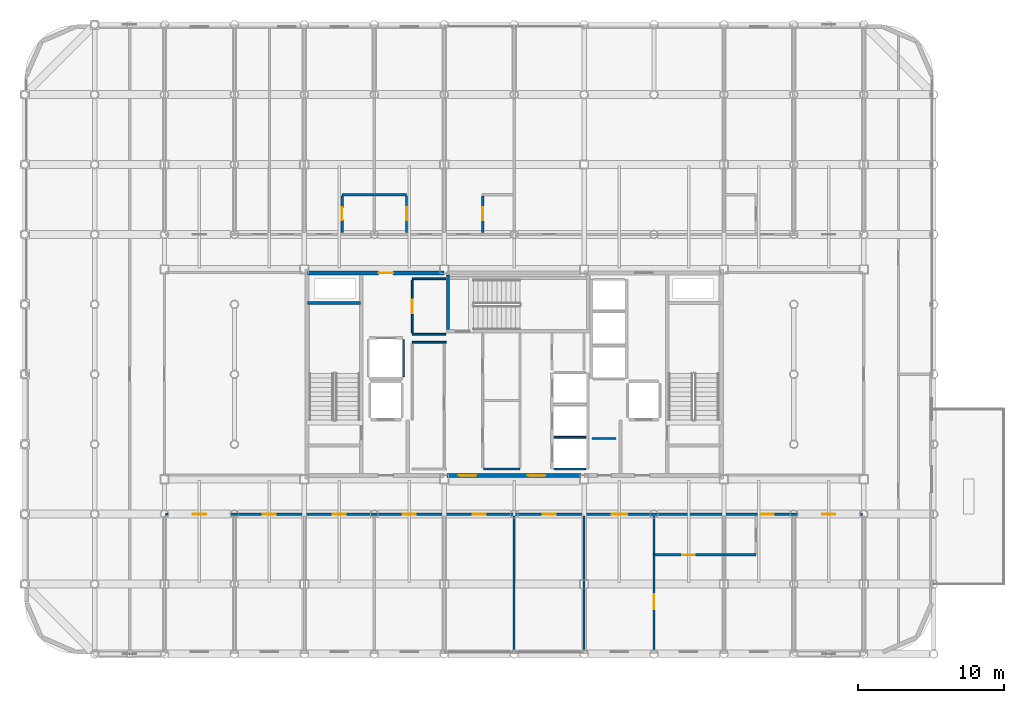
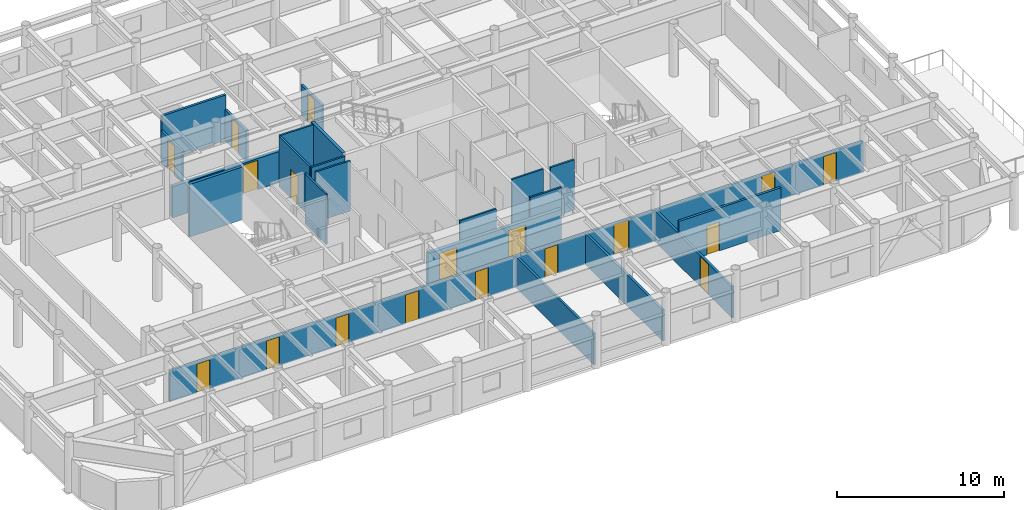
# One storey, part 20 of 25: 22 walls, 18 doors, 18 openings.
"""IFC4 building model written with IfcOpenShell, lengths in metres."""

from ifc_helpers import new_model, si_unit, direction, frame, frame_2d, origin, place, context, subcontext, project, spatial, rectangle, extrude, material, layer, layer_set, type_object, element, fill, save


model = new_model("IFC4")

# Units and contexts
model_context = context("Model", 3, precision=1e-05, world=origin(), true_north=direction((0.0, 1.0)))
body_context = subcontext(model_context, "Body", "Model", "MODEL_VIEW")
ifc_project = project(units=[si_unit("LENGTHUNIT", "METRE"), si_unit("AREAUNIT", "SQUARE_METRE"), si_unit("VOLUMEUNIT", "CUBIC_METRE"), si_unit("PLANEANGLEUNIT", "RADIAN"), si_unit("MASSUNIT", "GRAM", prefix="KILO")], contexts=[model_context])

# Site, building, storey
site_placement = place(None, origin())
site = spatial("IfcSite", under=ifc_project, at=site_placement, CompositionType="ELEMENT")
building_placement = place(site_placement, origin())
building = spatial("IfcBuilding", under=site, at=building_placement, Name="Kallvorn Hotel Tower", CompositionType="ELEMENT")
storey_placement = place(building_placement, frame((0.0, 0.0, 249.25)))
storey = spatial("IfcBuildingStorey", under=building, at=storey_placement, Name="L62", CompositionType="ELEMENT", Elevation=249.25)

# Wall, opening, door
ifc_material_1 = material(Name="Fire-rated double-layer acoustic gypsum drywall EI 60")
ifc_layer_1 = layer(ifc_material_1, 0.159912109375)
ifc_layer_set_1 = layer_set([ifc_layer_1], Name="WL_DEMISE_160")
wall_type_1 = type_object("IfcWallType", Name="WL_DEMISE_160", PredefinedType="PARTITIONING", material=ifc_layer_set_1)
wall_1_placement = place(storey_placement, frame((9.60009765625, -12.39501953125, 0.0), z_axis=(0.0, 0.0, 1.0), x_axis=(1.0, 0.0, 0.0)))
wall_1 = element("IfcWall", 1, at=wall_1_placement, inside=storey, type_object=wall_type_1, Name="L62 Suite 6201 Executive Bedroom Partition", PredefinedType="PARTITIONING", context=body_context, shape_type="SweptSolid", body=[
    extrude(rectangle(XDim=7.010009765625, YDim=0.159912109375, at=frame_2d((3.5048828125, 0.0))), origin(), (0.0, 0.0, 1.0), 3.1201171875),
])
opening_1_placement = place(wall_1_placement, frame((1.929931640625, 0.0, 0.0)))
opening_1 = element("IfcOpeningElement", 2, at=opening_1_placement, cuts=wall_1, Name="Opening BD-I", PredefinedType="OPENING", context=body_context, shape_type="SweptSolid", body=[
    extrude(rectangle(XDim=0.860107421875, YDim=2.10009765625, at=frame_2d((0.43017578125, 1.050048828125))), frame((0.0, 0.094970703125, 0.0), z_axis=(0.0, -1.0, 0.0), x_axis=(1.0, 0.0, 0.0)), (0.0, 0.0, 1.0), 0.18994140625),
])
ifc_material_2 = material(Name="Solid-core walnut veneer fire-rated timber door leaf", Category="wood")
door_type_1 = type_object("IfcDoorType", Name="DR_BATH_860x2100", OperationType="NOTDEFINED", PredefinedType="DOOR", material=ifc_material_2)
door_1_placement = place(opening_1_placement, origin())
door_1 = element("IfcDoor", 3, at=door_1_placement, inside=storey, type_object=door_type_1, Name="L62 Suite 6201 En-Suite Bathroom Door", OperationType="SINGLE_SWING_LEFT", OverallHeight=2.10009765625, OverallWidth=0.860107421875, PredefinedType="DOOR", context=body_context, shape_type="SweptSolid", body=[
    extrude(rectangle(XDim=0.860107421875, YDim=2.10009765625, at=frame_2d((0.43017578125, 1.050048828125))), frame((0.0, 0.02490234375, 0.0), z_axis=(0.0, -1.0, 0.0), x_axis=(1.0, 0.0, 0.0)), (0.0, 0.0, 1.0), 0.050048828125),
])
fill(opening_1, door_1)

# Wall, openings, doors
wall_2_placement = place(storey_placement, frame((-23.919921875, -9.60009765625, 0.0), z_axis=(0.0, 0.0, 1.0), x_axis=(1.0, 0.0, 0.0)))
wall_2 = element("IfcWall", 4, at=wall_2_placement, inside=storey, type_object=wall_type_1, Name="L62 Suite 6201 Executive Living Salon Partition", PredefinedType="PARTITIONING", context=body_context, shape_type="SweptSolid", body=[
    extrude(rectangle(XDim=47.83984375, YDim=0.159912109375, at=frame_2d((23.919921875, 0.0))), origin(), (0.0, 0.0, 1.0), 2.27001953125),
])
opening_2_placement = place(wall_2_placement, frame((1.8701171875, 0.0, 0.0)))
opening_2 = element("IfcOpeningElement", 5, at=opening_2_placement, cuts=wall_2, Name="Opening SVD1", PredefinedType="OPENING", context=body_context, shape_type="SweptSolid", body=[
    extrude(rectangle(XDim=0.89990234375, YDim=2.10009765625, at=frame_2d((0.449951171875, 1.050048828125))), frame((0.0, 0.094970703125, 0.0), z_axis=(0.0, -1.0, 0.0), x_axis=(1.0, 0.0, 0.0)), (0.0, 0.0, 1.0), 0.18994140625),
])
opening_3_placement = place(wall_2_placement, frame((45.070068359375, 0.0, 0.0)))
opening_3 = element("IfcOpeningElement", 6, at=opening_3_placement, cuts=wall_2, Name="Opening SVD1", PredefinedType="OPENING", context=body_context, shape_type="SweptSolid", body=[
    extrude(rectangle(XDim=0.89990234375, YDim=2.10009765625, at=frame_2d((0.449951171875, 1.050048828125))), frame((0.0, 0.094970703125, 0.0), z_axis=(0.0, -1.0, 0.0), x_axis=(1.0, 0.0, 0.0)), (0.0, 0.0, 1.0), 0.18994140625),
])
opening_4_placement = place(wall_2_placement, frame((6.669921875, 0.0, 0.0)))
opening_4 = element("IfcOpeningElement", 7, at=opening_4_placement, cuts=wall_2, Name="Opening SVD1", PredefinedType="OPENING", context=body_context, shape_type="SweptSolid", body=[
    extrude(rectangle(XDim=0.89990234375, YDim=2.10009765625, at=frame_2d((0.449951171875, 1.050048828125))), frame((0.0, 0.094970703125, 0.0), z_axis=(0.0, -1.0, 0.0), x_axis=(1.0, 0.0, 0.0)), (0.0, 0.0, 1.0), 0.18994140625),
])
opening_5_placement = place(wall_2_placement, frame((11.469970703125, 0.0, 0.0)))
opening_5 = element("IfcOpeningElement", 8, at=opening_5_placement, cuts=wall_2, Name="Opening SVD1", PredefinedType="OPENING", context=body_context, shape_type="SweptSolid", body=[
    extrude(rectangle(XDim=0.89990234375, YDim=2.10009765625, at=frame_2d((0.449951171875, 1.050048828125))), frame((0.0, 0.094970703125, 0.0), z_axis=(0.0, -1.0, 0.0), x_axis=(1.0, 0.0, 0.0)), (0.0, 0.0, 1.0), 0.18994140625),
])
opening_6_placement = place(wall_2_placement, frame((16.27001953125, 0.0, 0.0)))
opening_6 = element("IfcOpeningElement", 9, at=opening_6_placement, cuts=wall_2, Name="Opening SVD1", PredefinedType="OPENING", context=body_context, shape_type="SweptSolid", body=[
    extrude(rectangle(XDim=0.89990234375, YDim=2.10009765625, at=frame_2d((0.449951171875, 1.050048828125))), frame((0.0, 0.094970703125, 0.0), z_axis=(0.0, -1.0, 0.0), x_axis=(1.0, 0.0, 0.0)), (0.0, 0.0, 1.0), 0.18994140625),
])
opening_7_placement = place(wall_2_placement, frame((21.070068359375, 0.0, 0.0)))
opening_7 = element("IfcOpeningElement", 10, at=opening_7_placement, cuts=wall_2, Name="Opening SVD1", PredefinedType="OPENING", context=body_context, shape_type="SweptSolid", body=[
    extrude(rectangle(XDim=0.89990234375, YDim=2.10009765625, at=frame_2d((0.449951171875, 1.050048828125))), frame((0.0, 0.094970703125, 0.0), z_axis=(0.0, -1.0, 0.0), x_axis=(1.0, 0.0, 0.0)), (0.0, 0.0, 1.0), 0.18994140625),
])
opening_8_placement = place(wall_2_placement, frame((25.8701171875, 0.0, 0.0)))
opening_8 = element("IfcOpeningElement", 11, at=opening_8_placement, cuts=wall_2, Name="Opening SVD1", PredefinedType="OPENING", context=body_context, shape_type="SweptSolid", body=[
    extrude(rectangle(XDim=0.89990234375, YDim=2.10009765625, at=frame_2d((0.449951171875, 1.050048828125))), frame((0.0, 0.094970703125, 0.0), z_axis=(0.0, -1.0, 0.0), x_axis=(1.0, 0.0, 0.0)), (0.0, 0.0, 1.0), 0.18994140625),
])
opening_9_placement = place(wall_2_placement, frame((30.635009765625, 0.0, 0.0)))
opening_9 = element("IfcOpeningElement", 12, at=opening_9_placement, cuts=wall_2, Name="Opening GD2", PredefinedType="OPENING", context=body_context, shape_type="SweptSolid", body=[
    extrude(rectangle(XDim=1.050048828125, YDim=2.199951171875, at=frame_2d((0.52490234375, 1.10009765625))), frame((0.0, 0.094970703125, 0.0), z_axis=(0.0, -1.0, 0.0), x_axis=(1.0, 0.0, 0.0)), (0.0, 0.0, 1.0), 0.18994140625),
])
opening_10_placement = place(wall_2_placement, frame((40.830078125, 0.0, 0.0)))
opening_10 = element("IfcOpeningElement", 13, at=opening_10_placement, cuts=wall_2, Name="Opening GD1", PredefinedType="OPENING", context=body_context, shape_type="SweptSolid", body=[
    extrude(rectangle(XDim=0.919921875, YDim=2.14990234375, at=frame_2d((0.4599609375, 1.074951171875))), frame((0.0, 0.094970703125, 0.0), z_axis=(0.0, -1.0, 0.0), x_axis=(1.0, 0.0, 0.0)), (0.0, 0.0, 1.0), 0.18994140625),
])
ifc_material_3 = material(Name="Solid-core walnut veneer fire-rated timber door leaf", Category="wood")
door_type_2 = type_object("IfcDoorType", Name="DR_GUEST_920x2150", OperationType="NOTDEFINED", PredefinedType="DOOR", material=ifc_material_3)
door_2_placement = place(opening_10_placement, origin())
door_2 = element("IfcDoor", 14, at=door_2_placement, inside=storey, type_object=door_type_2, Name="L62 Suite 6202 Superior Twin Room Door", OperationType="SINGLE_SWING_RIGHT", OverallHeight=2.14990234375, OverallWidth=0.919921875, PredefinedType="DOOR", context=body_context, shape_type="SweptSolid", body=[
    extrude(rectangle(XDim=0.919921875, YDim=2.14990234375, at=frame_2d((0.4599609375, 1.074951171875))), frame((0.0, 0.02490234375, 0.0), z_axis=(0.0, -1.0, 0.0), x_axis=(1.0, 0.0, 0.0)), (0.0, 0.0, 1.0), 0.050048828125),
])
fill(opening_10, door_2)
ifc_material_4 = material(Name="Galvanised painted steel fire-rated door assembly", Category="steel")
door_type_3 = type_object("IfcDoorType", Name="DR_SERV_900x2100", OperationType="NOTDEFINED", PredefinedType="DOOR", material=ifc_material_4)
door_3_placement = place(opening_2_placement, origin())
door_3 = element("IfcDoor", 15, at=door_3_placement, inside=storey, type_object=door_type_3, Name="L62 L62 High-Zone South-West Tea Bar Door", OperationType="SINGLE_SWING_RIGHT", OverallHeight=2.10009765625, OverallWidth=0.89990234375, PredefinedType="DOOR", context=body_context, shape_type="SweptSolid", body=[
    extrude(rectangle(XDim=0.89990234375, YDim=2.10009765625, at=frame_2d((0.449951171875, 1.050048828125))), frame((0.0, 0.02490234375, 0.0), z_axis=(0.0, -1.0, 0.0), x_axis=(1.0, 0.0, 0.0)), (0.0, 0.0, 1.0), 0.050048828125),
])
fill(opening_2, door_3)
door_4_placement = place(opening_3_placement, origin())
door_4 = element("IfcDoor", 16, at=door_4_placement, inside=storey, type_object=door_type_3, Name="L62 L62 High-Zone South-East Wine Bar Door", OperationType="SINGLE_SWING_LEFT", OverallHeight=2.10009765625, OverallWidth=0.89990234375, PredefinedType="DOOR", context=body_context, shape_type="SweptSolid", body=[
    extrude(rectangle(XDim=0.89990234375, YDim=2.10009765625, at=frame_2d((0.449951171875, 1.050048828125))), frame((0.0, 0.02490234375, 0.0), z_axis=(0.0, -1.0, 0.0), x_axis=(1.0, 0.0, 0.0)), (0.0, 0.0, 1.0), 0.050048828125),
])
fill(opening_3, door_4)
door_5_placement = place(opening_4_placement, origin())
door_5 = element("IfcDoor", 17, at=door_5_placement, inside=storey, type_object=door_type_3, Name="L62 L62 Executive Co-Working Open-Plan Office 1-1 Door", OperationType="SINGLE_SWING_RIGHT", OverallHeight=2.10009765625, OverallWidth=0.89990234375, PredefinedType="DOOR", context=body_context, shape_type="SweptSolid", body=[
    extrude(rectangle(XDim=0.89990234375, YDim=2.10009765625, at=frame_2d((0.449951171875, 1.050048828125))), frame((0.0, 0.02490234375, 0.0), z_axis=(0.0, -1.0, 0.0), x_axis=(1.0, 0.0, 0.0)), (0.0, 0.0, 1.0), 0.050048828125),
])
fill(opening_4, door_5)
door_6_placement = place(opening_5_placement, origin())
door_6 = element("IfcDoor", 18, at=door_6_placement, inside=storey, type_object=door_type_3, Name="L62 L62 Executive Co-Working Open-Plan Office 1-2 Door", OperationType="SINGLE_SWING_RIGHT", OverallHeight=2.10009765625, OverallWidth=0.89990234375, PredefinedType="DOOR", context=body_context, shape_type="SweptSolid", body=[
    extrude(rectangle(XDim=0.89990234375, YDim=2.10009765625, at=frame_2d((0.449951171875, 1.050048828125))), frame((0.0, 0.02490234375, 0.0), z_axis=(0.0, -1.0, 0.0), x_axis=(1.0, 0.0, 0.0)), (0.0, 0.0, 1.0), 0.050048828125),
])
fill(opening_5, door_6)
door_7_placement = place(opening_6_placement, origin())
door_7 = element("IfcDoor", 19, at=door_7_placement, inside=storey, type_object=door_type_3, Name="L62 L62 Executive Co-Working Open-Plan Office 1-3 Door", OperationType="SINGLE_SWING_LEFT", OverallHeight=2.10009765625, OverallWidth=0.89990234375, PredefinedType="DOOR", context=body_context, shape_type="SweptSolid", body=[
    extrude(rectangle(XDim=0.89990234375, YDim=2.10009765625, at=frame_2d((0.449951171875, 1.050048828125))), frame((0.0, 0.02490234375, 0.0), z_axis=(0.0, -1.0, 0.0), x_axis=(1.0, 0.0, 0.0)), (0.0, 0.0, 1.0), 0.050048828125),
])
fill(opening_6, door_7)
door_8_placement = place(opening_7_placement, origin())
door_8 = element("IfcDoor", 20, at=door_8_placement, inside=storey, type_object=door_type_3, Name="L62 L62 Diplomatic Summit Conference Boardroom 2-1 Door", OperationType="SINGLE_SWING_LEFT", OverallHeight=2.10009765625, OverallWidth=0.89990234375, PredefinedType="DOOR", context=body_context, shape_type="SweptSolid", body=[
    extrude(rectangle(XDim=0.89990234375, YDim=2.10009765625, at=frame_2d((0.449951171875, 1.050048828125))), frame((0.0, 0.02490234375, 0.0), z_axis=(0.0, -1.0, 0.0), x_axis=(1.0, 0.0, 0.0)), (0.0, 0.0, 1.0), 0.050048828125),
])
fill(opening_7, door_8)
door_9_placement = place(opening_8_placement, origin())
door_9 = element("IfcDoor", 21, at=door_9_placement, inside=storey, type_object=door_type_3, Name="L62 L62 Diplomatic Summit Conference Boardroom 2-2 Door", OperationType="SINGLE_SWING_LEFT", OverallHeight=2.10009765625, OverallWidth=0.89990234375, PredefinedType="DOOR", context=body_context, shape_type="SweptSolid", body=[
    extrude(rectangle(XDim=0.89990234375, YDim=2.10009765625, at=frame_2d((0.449951171875, 1.050048828125))), frame((0.0, 0.02490234375, 0.0), z_axis=(0.0, -1.0, 0.0), x_axis=(1.0, 0.0, 0.0)), (0.0, 0.0, 1.0), 0.050048828125),
])
fill(opening_8, door_9)
ifc_material_5 = material(Name="Solid-core walnut veneer fire-rated timber door leaf", Category="wood")
door_type_4 = type_object("IfcDoorType", Name="DR_SUITE_1050x2200", OperationType="NOTDEFINED", PredefinedType="DOOR", material=ifc_material_5)
door_10_placement = place(opening_9_placement, origin())
door_10 = element("IfcDoor", 22, at=door_10_placement, inside=storey, type_object=door_type_4, Name="L62 Suite 6201 Executive Living Salon Door", OperationType="SINGLE_SWING_LEFT", OverallHeight=2.199951171875, OverallWidth=1.050048828125, PredefinedType="DOOR", context=body_context, shape_type="SweptSolid", body=[
    extrude(rectangle(XDim=1.050048828125, YDim=2.199951171875, at=frame_2d((0.52490234375, 1.10009765625))), frame((0.0, 0.02490234375, 0.0), z_axis=(0.0, -1.0, 0.0), x_axis=(1.0, 0.0, 0.0)), (0.0, 0.0, 1.0), 0.050048828125),
])
fill(opening_9, door_10)

# Wall
wall_3_placement = place(storey_placement, frame((-11.81005859375, 12.320068359375, 0.0), z_axis=(0.0, 0.0, 1.0), x_axis=(1.0, 0.0, 0.0)))
element("IfcWall", 23, at=wall_3_placement, inside=storey, type_object=wall_type_1, Name="L62 Suite 6203 Standard Twin Room Partition", PredefinedType="PARTITIONING", context=body_context, shape_type="SweptSolid", body=[
    extrude(rectangle(XDim=4.420166015625, YDim=0.159912109375, at=frame_2d((2.2099609375, 0.0))), origin(), (0.0, 0.0, 1.0), 3.31005859375),
])

# Wall, opening, door
wall_4_placement = place(storey_placement, frame((-11.81005859375, 9.719970703125, 0.0), z_axis=(0.0, 0.0, 1.0), x_axis=(0.0, 1.0, 0.0)))
wall_4 = element("IfcWall", 24, at=wall_4_placement, inside=storey, type_object=wall_type_1, Name="L62 Suite 6203 Standard Twin Room Partition", PredefinedType="PARTITIONING", context=body_context, shape_type="SweptSolid", body=[
    extrude(rectangle(XDim=2.51513671875, YDim=0.159912109375, at=frame_2d((1.257568359375, 0.0))), origin(), (0.0, 0.0, 1.0), 2.27001953125),
])
opening_11_placement = place(wall_4_placement, frame((0.8701171875, 0.0, 0.0)))
opening_11 = element("IfcOpeningElement", 25, at=opening_11_placement, cuts=wall_4, Name="Opening BD-I", PredefinedType="OPENING", context=body_context, shape_type="SweptSolid", body=[
    extrude(rectangle(XDim=0.860107421875, YDim=2.10009765625, at=frame_2d((0.43017578125, 1.050048828125))), frame((0.0, 0.094970703125, 0.0), z_axis=(0.0, -1.0, 0.0), x_axis=(1.0, 0.0, 0.0)), (0.0, 0.0, 1.0), 0.18994140625),
])
door_11_placement = place(opening_11_placement, origin())
door_11 = element("IfcDoor", 26, at=door_11_placement, inside=storey, type_object=door_type_1, Name="L62 Suite 6203 En-Suite Bathroom Door", OperationType="SINGLE_SWING_RIGHT", OverallHeight=2.10009765625, OverallWidth=0.860107421875, PredefinedType="DOOR", context=body_context, shape_type="SweptSolid", body=[
    extrude(rectangle(XDim=0.860107421875, YDim=2.10009765625, at=frame_2d((0.43017578125, 1.050048828125))), frame((0.0, 0.02490234375, 0.0), z_axis=(0.0, -1.0, 0.0), x_axis=(1.0, 0.0, 0.0)), (0.0, 0.0, 1.0), 0.050048828125),
])
fill(opening_11, door_11)

wall_5_placement = place(storey_placement, frame((-7.389892578125, 9.719970703125, 0.0), z_axis=(0.0, 0.0, 1.0), x_axis=(0.0, 1.0, 0.0)))
wall_5 = element("IfcWall", 27, at=wall_5_placement, inside=storey, type_object=wall_type_1, Name="L62 Suite 6204 Standard Twin Room Partition", PredefinedType="PARTITIONING", context=body_context, shape_type="SweptSolid", body=[
    extrude(rectangle(XDim=2.51513671875, YDim=0.159912109375, at=frame_2d((1.257568359375, 0.0))), origin(), (0.0, 0.0, 1.0), 2.27001953125),
])
opening_12_placement = place(wall_5_placement, frame((0.8701171875, 0.0, 0.0)))
opening_12 = element("IfcOpeningElement", 28, at=opening_12_placement, cuts=wall_5, Name="Opening BD-I", PredefinedType="OPENING", context=body_context, shape_type="SweptSolid", body=[
    extrude(rectangle(XDim=0.860107421875, YDim=2.10009765625, at=frame_2d((0.43017578125, 1.050048828125))), frame((0.0, 0.094970703125, 0.0), z_axis=(0.0, -1.0, 0.0), x_axis=(1.0, 0.0, 0.0)), (0.0, 0.0, 1.0), 0.18994140625),
])
door_12_placement = place(opening_12_placement, origin())
door_12 = element("IfcDoor", 29, at=door_12_placement, inside=storey, type_object=door_type_1, Name="L62 Suite 6204 En-Suite Bathroom Door", OperationType="SINGLE_SWING_LEFT", OverallHeight=2.10009765625, OverallWidth=0.860107421875, PredefinedType="DOOR", context=body_context, shape_type="SweptSolid", body=[
    extrude(rectangle(XDim=0.860107421875, YDim=2.10009765625, at=frame_2d((0.43017578125, 1.050048828125))), frame((0.0, 0.02490234375, 0.0), z_axis=(0.0, -1.0, 0.0), x_axis=(1.0, 0.0, 0.0)), (0.0, 0.0, 1.0), 0.050048828125),
])
fill(opening_12, door_12)

wall_6_placement = place(storey_placement, frame((-2.155029296875, 9.719970703125, 0.0), z_axis=(0.0, 0.0, 1.0), x_axis=(0.0, 1.0, 0.0)))
wall_6 = element("IfcWall", 30, at=wall_6_placement, inside=storey, type_object=wall_type_1, Name="L62 Suite 6205 Standard Twin Room Partition", PredefinedType="PARTITIONING", context=body_context, shape_type="SweptSolid", body=[
    extrude(rectangle(XDim=2.51513671875, YDim=0.159912109375, at=frame_2d((1.257568359375, 0.0))), origin(), (0.0, 0.0, 1.0), 2.27001953125),
])
opening_13_placement = place(wall_6_placement, frame((0.8701171875, 0.0, 0.0)))
opening_13 = element("IfcOpeningElement", 31, at=opening_13_placement, cuts=wall_6, Name="Opening BD-I", PredefinedType="OPENING", context=body_context, shape_type="SweptSolid", body=[
    extrude(rectangle(XDim=0.860107421875, YDim=2.10009765625, at=frame_2d((0.43017578125, 1.050048828125))), frame((0.0, 0.094970703125, 0.0), z_axis=(0.0, -1.0, 0.0), x_axis=(1.0, 0.0, 0.0)), (0.0, 0.0, 1.0), 0.18994140625),
])
door_13_placement = place(opening_13_placement, origin())
door_13 = element("IfcDoor", 32, at=door_13_placement, inside=storey, type_object=door_type_1, Name="L62 Suite 6205 En-Suite Bathroom Door", OperationType="SINGLE_SWING_RIGHT", OverallHeight=2.10009765625, OverallWidth=0.860107421875, PredefinedType="DOOR", context=body_context, shape_type="SweptSolid", body=[
    extrude(rectangle(XDim=0.860107421875, YDim=2.10009765625, at=frame_2d((0.43017578125, 1.050048828125))), frame((0.0, 0.02490234375, 0.0), z_axis=(0.0, -1.0, 0.0), x_axis=(1.0, 0.0, 0.0)), (0.0, 0.0, 1.0), 0.050048828125),
])
fill(opening_13, door_13)

# Wall
wall_7_placement = place(storey_placement, frame((4.800048828125, -18.909912109375, 0.0), z_axis=(0.0, 0.0, 1.0), x_axis=(0.0, 1.0, 0.0)))
element("IfcWall", 33, at=wall_7_placement, inside=storey, type_object=wall_type_1, Name="L62 Suite 6201 Executive Living Salon Partition", PredefinedType="PARTITIONING", context=body_context, shape_type="SweptSolid", body=[
    extrude(rectangle(XDim=9.18994140625, YDim=0.159912109375, at=frame_2d((4.594970703125, 0.0))), origin(), (0.0, 0.0, 1.0), 2.27001953125),
])

# Wall, opening, door
wall_8_placement = place(storey_placement, frame((9.60009765625, -18.909912109375, 0.0), z_axis=(0.0, 0.0, 1.0), x_axis=(0.0, 1.0, 0.0)))
wall_8 = element("IfcWall", 34, at=wall_8_placement, inside=storey, type_object=wall_type_1, Name="L62 Suite 6201 Executive Bedroom Partition", PredefinedType="PARTITIONING", context=body_context, shape_type="SweptSolid", body=[
    extrude(rectangle(XDim=9.18994140625, YDim=0.159912109375, at=frame_2d((4.594970703125, 0.0))), origin(), (0.0, 0.0, 1.0), 2.27001953125),
])
opening_14_placement = place(wall_8_placement, frame((2.77490234375, 0.0, 0.0)))
opening_14 = element("IfcOpeningElement", 35, at=opening_14_placement, cuts=wall_8, Name="Opening GD2", PredefinedType="OPENING", context=body_context, shape_type="SweptSolid", body=[
    extrude(rectangle(XDim=1.050048828125, YDim=2.199951171875, at=frame_2d((0.52490234375, 1.10009765625))), frame((0.0, 0.094970703125, 0.0), z_axis=(0.0, -1.0, 0.0), x_axis=(1.0, 0.0, 0.0)), (0.0, 0.0, 1.0), 0.18994140625),
])
door_14_placement = place(opening_14_placement, origin())
door_14 = element("IfcDoor", 36, at=door_14_placement, inside=storey, type_object=door_type_4, Name="L62 Suite 6201 Executive Bedroom Door", OperationType="SINGLE_SWING_LEFT", OverallHeight=2.199951171875, OverallWidth=1.050048828125, PredefinedType="DOOR", context=body_context, shape_type="SweptSolid", body=[
    extrude(rectangle(XDim=1.050048828125, YDim=2.199951171875, at=frame_2d((0.52490234375, 1.10009765625))), frame((0.0, 0.02490234375, 0.0), z_axis=(0.0, -1.0, 0.0), x_axis=(1.0, 0.0, 0.0)), (0.0, 0.0, 1.0), 0.050048828125),
])
fill(opening_14, door_14)

# Walls
ifc_material_6 = material(Name="Concrete C40/50", Category="concrete")
ifc_layer_2 = layer(ifc_material_6, 0.199951171875)
ifc_layer_set_2 = layer_set([ifc_layer_2], Name="WL_HOIST_200")
wall_type_2 = type_object("IfcWallType", Name="WL_HOIST_200", PredefinedType="SOLIDWALL", material=ifc_layer_set_2)
wall_9_placement = place(storey_placement, frame((-14.199951171875, 4.89990234375, -0.179931640625), z_axis=(0.0, 0.0, 1.0), x_axis=(1.0, 0.0, 0.0)))
element("IfcWall", 37, at=wall_9_placement, inside=storey, type_object=wall_type_2, Name="L62 Stair ST1 North Wall", PredefinedType="SOLIDWALL", context=body_context, shape_type="SweptSolid", body=[
    extrude(rectangle(XDim=3.64990234375, YDim=0.199951171875, at=frame_2d((1.824951171875, 0.0))), origin(), (0.0, 0.0, 1.0), 3.849853515625),
])
wall_10_placement = place(storey_placement, frame((-4.550048828125, 3.080078125, -0.179931640625), z_axis=(0.0, 0.0, 1.0), x_axis=(0.0, 1.0, 0.0)))
element("IfcWall", 38, at=wall_10_placement, inside=storey, type_object=wall_type_2, Name="L62 Stair ST3 West Wall", PredefinedType="SOLIDWALL", context=body_context, shape_type="SweptSolid", body=[
    extrude(rectangle(XDim=3.739990234375, YDim=0.199951171875, at=frame_2d((1.8701171875, 0.0))), origin(), (0.0, 0.0, 1.0), 3.849853515625),
])
ifc_material_7 = material(Name="Fire-rated double-layer acoustic gypsum drywall EI 60")
ifc_layer_3 = layer(ifc_material_7, 0.1201171875)
ifc_layer_set_3 = layer_set([ifc_layer_3], Name="WL_INT_120")
wall_type_3 = type_object("IfcWallType", Name="WL_INT_120", PredefinedType="PARTITIONING", material=ifc_layer_set_3)
for number, where, z_axis, x_axis, name in (
    (39, (2.739990234375, -6.5, 0.0), (0.0, 0.0, 1.0), (1.0, 0.0, 0.0), "L62 Lift Bank B3A South Closure Wall"),
    (40, (2.739990234375, -4.324951171875, 0.0), (0.0, 0.0, 1.0), (1.0, 0.0, 0.0), "L62 PL-09 Hoistway Divider"),
):
    element("IfcWall", number, at=place(storey_placement, frame(where, z_axis=z_axis, x_axis=x_axis)), inside=storey, type_object=wall_type_3, Name=name, PredefinedType="PARTITIONING", context=body_context, shape_type="SweptSolid", body=[
        extrude(rectangle(XDim=2.169921875, YDim=0.1201171875, at=frame_2d((1.0849609375, 0.0))), origin(), (0.0, 0.0, 1.0), 3.669921875),
    ])
wall_11_placement = place(storey_placement, frame((-7.60009765625, -0.159912109375, 0.0), z_axis=(0.0, 0.0, 1.0), x_axis=(0.0, 1.0, 0.0)))
element("IfcWall", 41, at=wall_11_placement, inside=storey, type_object=wall_type_3, Name="L62 SV-01 East Shaft Wall", PredefinedType="PARTITIONING", context=body_context, shape_type="SweptSolid", body=[
    extrude(rectangle(XDim=2.52001953125, YDim=0.1201171875, at=frame_2d((1.260009765625, 0.0))), origin(), (0.0, 0.0, 1.0), 3.669921875),
])
wall_12_placement = place(storey_placement, frame((-2.10009765625, -6.5, 0.0), z_axis=(0.0, 0.0, 1.0), x_axis=(1.0, 0.0, 0.0)))
element("IfcWall", 42, at=wall_12_placement, inside=storey, type_object=wall_type_3, Name="L62 High-Zone Sommelier and Beverage Pantry Partition", PredefinedType="PARTITIONING", context=body_context, shape_type="SweptSolid", body=[
    extrude(rectangle(XDim=2.5, YDim=0.1201171875, at=frame_2d((1.25, 0.0))), origin(), (0.0, 0.0, 1.0), 3.669921875),
])
wall_13_placement = place(storey_placement, frame((-7.0, 2.199951171875, 0.0), z_axis=(0.0, 0.0, 1.0), x_axis=(1.0, 0.0, 0.0)))
element("IfcWall", 43, at=wall_13_placement, inside=storey, type_object=wall_type_3, Name="L62 Recaptured Butler and Room-Service Pantry Partition", PredefinedType="PARTITIONING", context=body_context, shape_type="SweptSolid", body=[
    extrude(rectangle(XDim=2.35009765625, YDim=0.1201171875, at=frame_2d((1.175048828125, 0.0))), origin(), (0.0, 0.0, 1.0), 3.669921875),
])
for number, where, z_axis, x_axis, name in (
    (44, (-7.0, 2.75, 0.0), (0.0, 0.0, 1.0), (1.0, 0.0, 0.0), "L62 Recaptured Valet and Linen Reserve Store Partition"),
    (45, (-7.0, 6.550048828125, 0.0), (0.0, 0.0, 1.0), (1.0, 0.0, 0.0), "L62 Recaptured Valet and Linen Reserve Store Partition"),
):
    element("IfcWall", number, at=place(storey_placement, frame(where, z_axis=z_axis, x_axis=x_axis)), inside=storey, type_object=wall_type_3, Name=name, PredefinedType="PARTITIONING", context=body_context, shape_type="SweptSolid", body=[
        extrude(rectangle(XDim=2.31005859375, YDim=0.1201171875, at=frame_2d((1.155029296875, 0.0))), origin(), (0.0, 0.0, 1.0), 3.669921875),
    ])

# Wall, opening, door
wall_14_placement = place(storey_placement, frame((-7.0, 2.8349609375, 0.0), z_axis=(0.0, 0.0, 1.0), x_axis=(0.0, 1.0, 0.0)))
wall_14 = element("IfcWall", 46, at=wall_14_placement, inside=storey, type_object=wall_type_3, Name="L62 Recaptured Valet and Linen Reserve Store Partition", PredefinedType="PARTITIONING", context=body_context, shape_type="SweptSolid", body=[
    extrude(rectangle(XDim=3.630126953125, YDim=0.1201171875, at=frame_2d((1.81494140625, 0.0))), origin(), (0.0, 0.0, 1.0), 3.669921875),
])
opening_15_placement = place(wall_14_placement, frame((1.364990234375, 0.0, 0.0)))
opening_15 = element("IfcOpeningElement", 47, at=opening_15_placement, cuts=wall_14, Name="Opening SVD1", PredefinedType="OPENING", context=body_context, shape_type="SweptSolid", body=[
    extrude(rectangle(XDim=0.89990234375, YDim=2.10009765625, at=frame_2d((0.449951171875, 1.050048828125))), frame((0.0, 0.074951171875, 0.0), z_axis=(0.0, -1.0, 0.0), x_axis=(1.0, 0.0, 0.0)), (0.0, 0.0, 1.0), 0.150146484375),
])
door_15_placement = place(opening_15_placement, origin())
door_15 = element("IfcDoor", 48, at=door_15_placement, inside=storey, type_object=door_type_3, Name="L62 Recaptured Valet and Linen Reserve Store Door", OperationType="SINGLE_SWING_RIGHT", OverallHeight=2.10009765625, OverallWidth=0.89990234375, PredefinedType="DOOR", context=body_context, shape_type="SweptSolid", body=[
    extrude(rectangle(XDim=0.89990234375, YDim=2.10009765625, at=frame_2d((0.449951171875, 1.050048828125))), frame((0.0, 0.02490234375, 0.0), z_axis=(0.0, -1.0, 0.0), x_axis=(1.0, 0.0, 0.0)), (0.0, 0.0, 1.0), 0.050048828125),
])
fill(opening_15, door_15)

# Walls
ifc_material_8 = material(Name="Fire-rated double-layer acoustic gypsum drywall EI 60")
ifc_layer_4 = layer(ifc_material_8, 0.14990234375)
ifc_layer_set_4 = layer_set([ifc_layer_4], Name="WL_PART_150")
wall_type_4 = type_object("IfcWallType", Name="WL_PART_150", PredefinedType="PARTITIONING", material=ifc_layer_set_4)
wall_15_placement = place(storey_placement, frame((0.0, -18.9951171875, 0.0), z_axis=(0.0, 0.0, 1.0), x_axis=(0.0, 1.0, 0.0)))
element("IfcWall", 49, at=wall_15_placement, inside=storey, type_object=wall_type_4, Name="L62 L62 Diplomatic Summit Conference Boardroom 2-1 Partition", PredefinedType="PARTITIONING", context=body_context, shape_type="SweptSolid", body=[
    extrude(rectangle(XDim=9.275146484375, YDim=0.14990234375, at=frame_2d((4.6376953125, 0.0))), origin(), (0.0, 0.0, 1.0), 2.27001953125),
])
ifc_material_9 = material(Name="Moisture-resistant acoustic plumbing chase wall EI 60")
ifc_layer_5 = layer(ifc_material_9, 0.139892578125)
ifc_layer_set_5 = layer_set([ifc_layer_5], Name="WL_PLUMB_140")
wall_type_5 = type_object("IfcWallType", Name="WL_PLUMB_140", PredefinedType="PLUMBINGWALL", material=ifc_layer_set_5)
wall_16_placement = place(storey_placement, frame((5.35009765625, -4.39990234375, 0.0), z_axis=(0.0, 0.0, 1.0), x_axis=(1.0, 0.0, 0.0)))
element("IfcWall", 50, at=wall_16_placement, inside=storey, type_object=wall_type_5, Name="L62 Core Staff Restroom WC Partition", PredefinedType="PLUMBINGWALL", context=body_context, shape_type="SweptSolid", body=[
    extrude(rectangle(XDim=1.64990234375, YDim=0.139892578125, at=frame_2d((0.824951171875, 0.0))), origin(), (0.0, 0.0, 1.0), 3.669921875),
])

# Wall, openings, doors
ifc_material_10 = material(Name="Concrete C40/50", Category="concrete")
ifc_layer_6 = layer(ifc_material_10, 0.25)
ifc_layer_set_6 = layer_set([ifc_layer_6], Name="WL_SHAFT_250")
wall_type_6 = type_object("IfcWallType", Name="WL_SHAFT_250", PredefinedType="SOLIDWALL", material=ifc_layer_set_6)
wall_17_placement = place(storey_placement, frame((-4.60009765625, -6.949951171875, 0.0), z_axis=(0.0, 0.0, 1.0), x_axis=(1.0, 0.0, 0.0)))
wall_17 = element("IfcWall", 51, at=wall_17_placement, inside=storey, type_object=wall_type_6, Name="L62 Core South-Central Wall", PredefinedType="SOLIDWALL", context=body_context, shape_type="SweptSolid", body=[
    extrude(rectangle(XDim=9.2001953125, YDim=0.25, at=frame_2d((4.60009765625, 0.0))), origin(), (0.0, 0.0, 1.0), 2.469970703125),
])
opening_16_placement = place(wall_17_placement, frame((0.800048828125, 0.0, 0.0)))
opening_16 = element("IfcOpeningElement", 52, at=opening_16_placement, cuts=wall_17, Name="Opening FD2", PredefinedType="OPENING", context=body_context, shape_type="SweptSolid", body=[
    extrude(rectangle(XDim=1.199951171875, YDim=2.199951171875, at=frame_2d((0.60009765625, 1.10009765625))), frame((0.0, 0.139892578125, 0.0), z_axis=(0.0, -1.0, 0.0), x_axis=(1.0, 0.0, 0.0)), (0.0, 0.0, 1.0), 0.280029296875),
])
opening_17_placement = place(wall_17_placement, frame((5.550048828125, 0.0, 0.0)))
opening_17 = element("IfcOpeningElement", 53, at=opening_17_placement, cuts=wall_17, Name="Opening FD2", PredefinedType="OPENING", context=body_context, shape_type="SweptSolid", body=[
    extrude(rectangle(XDim=1.199951171875, YDim=2.199951171875, at=frame_2d((0.60009765625, 1.10009765625))), frame((0.0, 0.139892578125, 0.0), z_axis=(0.0, -1.0, 0.0), x_axis=(1.0, 0.0, 0.0)), (0.0, 0.0, 1.0), 0.280029296875),
])
ifc_material_11 = material(Name="Galvanised painted steel fire-rated door assembly", Category="steel")
door_type_5 = type_object("IfcDoorType", Name="DR_LOBBY_1200x2200", OperationType="DOUBLE_DOOR_SINGLE_SWING", PredefinedType="DOOR", material=ifc_material_11)
door_16_placement = place(opening_16_placement, origin())
door_16 = element("IfcDoor", 54, at=door_16_placement, inside=storey, type_object=door_type_5, Name="L62 West Passenger Lift Lobby Door", OperationType="DOUBLE_DOOR_SINGLE_SWING", OverallHeight=2.199951171875, OverallWidth=1.199951171875, PredefinedType="DOOR", context=body_context, shape_type="SweptSolid", body=[
    extrude(rectangle(XDim=1.199951171875, YDim=2.199951171875, at=frame_2d((0.60009765625, 1.10009765625))), frame((0.0, 0.02490234375, 0.0), z_axis=(0.0, -1.0, 0.0), x_axis=(1.0, 0.0, 0.0)), (0.0, 0.0, 1.0), 0.050048828125),
])
fill(opening_16, door_16)
door_17_placement = place(opening_17_placement, origin())
door_17 = element("IfcDoor", 55, at=door_17_placement, inside=storey, type_object=door_type_5, Name="L62 East Passenger Lift Lobby Door", OperationType="DOUBLE_DOOR_SINGLE_SWING", OverallHeight=2.199951171875, OverallWidth=1.199951171875, PredefinedType="DOOR", context=body_context, shape_type="SweptSolid", body=[
    extrude(rectangle(XDim=1.199951171875, YDim=2.199951171875, at=frame_2d((0.60009765625, 1.10009765625))), frame((0.0, 0.02490234375, 0.0), z_axis=(0.0, -1.0, 0.0), x_axis=(1.0, 0.0, 0.0)), (0.0, 0.0, 1.0), 0.050048828125),
])
fill(opening_17, door_17)

# Wall, opening, door
wall_18_placement = place(storey_placement, frame((-14.199951171875, 6.949951171875, 0.0), z_axis=(0.0, 0.0, 1.0), x_axis=(1.0, 0.0, 0.0)))
wall_18 = element("IfcWall", 56, at=wall_18_placement, inside=storey, type_object=wall_type_6, Name="L62 Core North-West Wall", PredefinedType="SOLIDWALL", context=body_context, shape_type="SweptSolid", body=[
    extrude(rectangle(XDim=9.39990234375, YDim=0.25, at=frame_2d((4.699951171875, 0.0))), origin(), (0.0, 0.0, 1.0), 2.27001953125),
])
opening_18_placement = place(wall_18_placement, frame((4.89990234375, 0.0, 0.0)))
opening_18 = element("IfcOpeningElement", 57, at=opening_18_placement, cuts=wall_18, Name="Opening FD1", PredefinedType="OPENING", context=body_context, shape_type="SweptSolid", body=[
    extrude(rectangle(XDim=1.0, YDim=2.14990234375, at=frame_2d((0.5, 1.074951171875))), frame((0.0, 0.139892578125, 0.0), z_axis=(0.0, -1.0, 0.0), x_axis=(1.0, 0.0, 0.0)), (0.0, 0.0, 1.0), 0.280029296875),
])
ifc_material_12 = material(Name="Galvanised painted steel fire-rated door assembly", Category="steel")
door_type_6 = type_object("IfcDoorType", Name="DR_FFL_1000x2150", OperationType="NOTDEFINED", PredefinedType="DOOR", material=ifc_material_12)
door_18_placement = place(opening_18_placement, origin())
door_18 = element("IfcDoor", 58, at=door_18_placement, inside=storey, type_object=door_type_6, Name="L62 Service Lift Lobby Door", OperationType="SINGLE_SWING_RIGHT", OverallHeight=2.14990234375, OverallWidth=1.0, PredefinedType="DOOR", context=body_context, shape_type="SweptSolid", body=[
    extrude(rectangle(XDim=1.0, YDim=2.14990234375, at=frame_2d((0.5, 1.074951171875))), frame((0.0, 0.02490234375, 0.0), z_axis=(0.0, -1.0, 0.0), x_axis=(1.0, 0.0, 0.0)), (0.0, 0.0, 1.0), 0.050048828125),
])
fill(opening_18, door_18)

save(model, "model.ifc")
